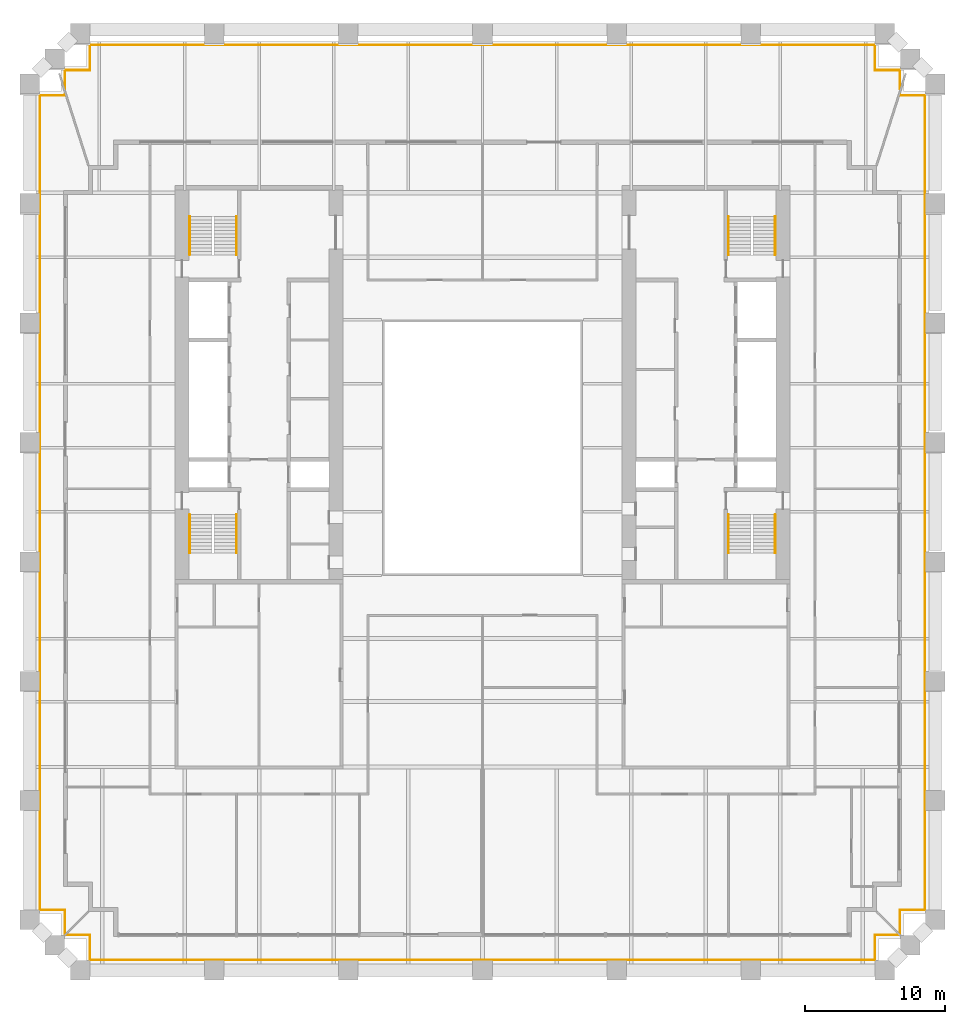
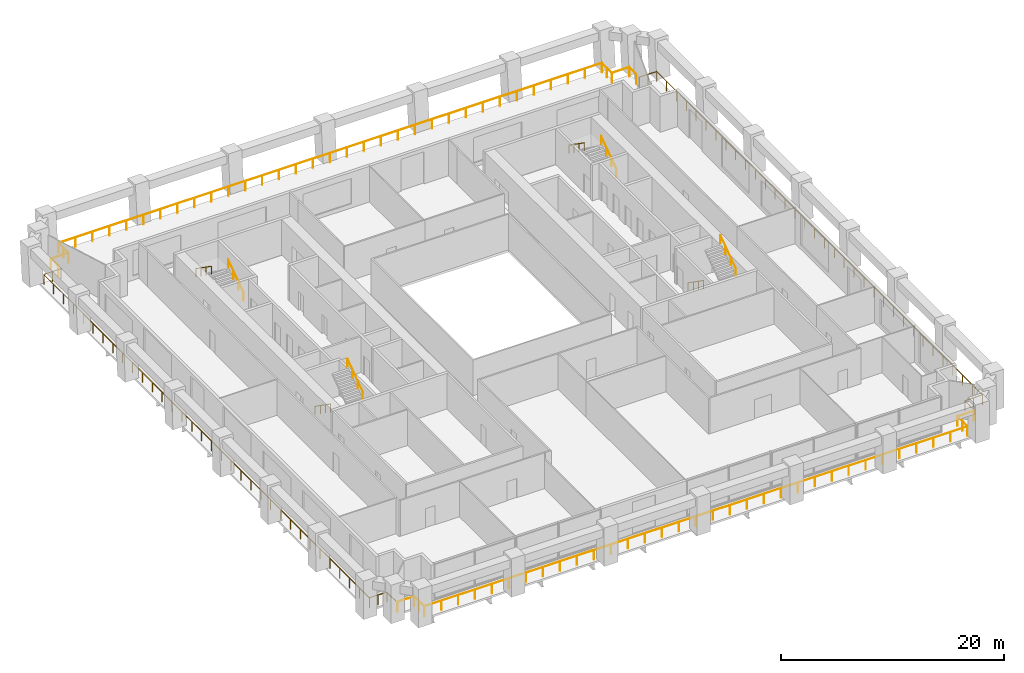
# One storey, part 11 of 11: 12 railings.
"""IFC4 building model written with IfcOpenShell, lengths in metres."""

import ifcopenshell
import ifcopenshell.guid

model = None  # the IFC model being written
_history = None  # IfcOwnerHistory: only IFC2X3 demands one
_inside = {}  # id of a spatial element -> (the spatial element, [elements in it])
_under = {}  # id of a project, library or spatial element -> (it, [spatial elements below it])
_declared = {}  # id of a project -> (the project, [libraries it declares])
_typed = {}  # id of a type object -> (the type object, [elements of that type])
_made_of = {}  # id of a material, layer set ... -> (it, [elements and type objects made of it])


def new_model(schema):
    """Start an empty IFC model of exactly this schema.

    Asked for "IFC4X3", IfcOpenShell would pick the latest addendum, in which some entities
    have other attributes; the version numbers below select the first issue.
    IFC2X3 requires an IfcOwnerHistory on every rooted entity: one is made here for all.
    """
    global model, _history
    if schema == "IFC4X3":
        model = ifcopenshell.file(schema_version=(4, 3, 0, 0))
    else:
        model = ifcopenshell.file(schema=schema)
    _inside.clear()
    _under.clear()
    _declared.clear()
    _typed.clear()
    _made_of.clear()
    _history = None
    if model.schema == "IFC2X3":
        org = make("IfcOrganization", Name="unknown")
        user = make(
            "IfcPersonAndOrganization",
            ThePerson=make("IfcPerson", FamilyName="unknown"),
            TheOrganization=org,
        )
        app = make(
            "IfcApplication",
            ApplicationDeveloper=org,
            Version="unknown",
            ApplicationFullName="unknown",
            ApplicationIdentifier="unknown",
        )
        _history = make(
            "IfcOwnerHistory",
            OwningUser=user,
            OwningApplication=app,
            ChangeAction="ADDED",
            CreationDate=0,
        )
    return model


def make(cls, **values):
    """One entity of the class cls with the attributes given. An attribute that is None is left unset."""
    return model.create_entity(
        cls, **{name: value for name, value in values.items() if value is not None}
    )


def rooted(cls, **values):
    """An entity with a GlobalId (a new one), such as an element, a storey or a relation."""
    return make(cls, GlobalId=ifcopenshell.guid.new(), OwnerHistory=_history, **values)


def si_unit(unit_type, name, prefix=None):
    """IfcSIUnit, for example si_unit("LENGTHUNIT", "METRE", prefix="MILLI")."""
    return make("IfcSIUnit", UnitType=unit_type, Prefix=prefix, Name=name)


def assignment(units):
    """IfcUnitAssignment: the units of a project."""
    return None if units is None else make("IfcUnitAssignment", Units=units)


def point(xyz):
    """IfcCartesianPoint."""
    return None if xyz is None else make("IfcCartesianPoint", Coordinates=xyz)


def direction(xyz):
    """IfcDirection."""
    return None if xyz is None else make("IfcDirection", DirectionRatios=xyz)


def frame(location, z_axis=None, x_axis=None):
    """IfcAxis2Placement3D, a coordinate frame: its origin and axes. An axis left out is left unset."""
    return make(
        "IfcAxis2Placement3D",
        Location=point(location),
        Axis=direction(z_axis),
        RefDirection=direction(x_axis),
    )


def frame_2d(location, x_axis=None):
    """IfcAxis2Placement2D, a coordinate frame in the plane: its origin and x axis."""
    return make(
        "IfcAxis2Placement2D", Location=point(location), RefDirection=direction(x_axis)
    )


def origin():
    """The frame at (0, 0, 0) with its axes left unset."""
    return frame((0.0, 0.0, 0.0))


def origin_2d():
    """The frame at (0, 0) in the plane with its x axis left unset."""
    return frame_2d((0.0, 0.0))


def place(relative_to, where):
    """IfcLocalPlacement: puts the frame where relative to a parent placement (None: the world)."""
    return make(
        "IfcLocalPlacement", PlacementRelTo=relative_to, RelativePlacement=where
    )


def context(
    kind, dimensions, precision=None, world=None, true_north=None, identifier=None
):
    """IfcGeometricRepresentationContext, for example the 3D "Model" context."""
    return make(
        "IfcGeometricRepresentationContext",
        ContextIdentifier=identifier,
        ContextType=kind,
        CoordinateSpaceDimension=dimensions,
        Precision=precision,
        WorldCoordinateSystem=world,
        TrueNorth=true_north,
    )


def subcontext(parent, identifier, kind, view, scale=None):
    """IfcGeometricRepresentationSubContext, for example "Body" below "Model"."""
    return make(
        "IfcGeometricRepresentationSubContext",
        ContextIdentifier=identifier,
        ContextType=kind,
        ParentContext=parent,
        TargetScale=scale,
        TargetView=view,
    )


def project(units=None, contexts=None):
    """IfcProject with its units and contexts."""
    return rooted(
        "IfcProject",
        Name="project",
        RepresentationContexts=contexts,
        UnitsInContext=assignment(units),
    )


def spatial(cls, under=None, at=None, **own):
    """A site, building, storey or space (cls), placed at a placement, below another one or the project."""
    s = rooted(cls, ObjectPlacement=at, **own)
    if under is not None:
        _under.setdefault(under.id(), (under, []))[1].append(s)
    return s


def profile(cls, at=None, kind="AREA", **sizes):
    """A parametric profile (cls). Its sizes go by their IFC names, for example OverallWidth=200.0."""
    return make(cls, ProfileType=kind, Position=at, **sizes)


def circle(**sizes):
    """IfcCircleProfileDef."""
    return profile("IfcCircleProfileDef", **sizes)


def extrude(swept, where, along, depth):
    """IfcExtrudedAreaSolid: the profile swept, set in the frame where, extruded along a direction by depth."""
    return make(
        "IfcExtrudedAreaSolid",
        SweptArea=swept,
        Position=where,
        ExtrudedDirection=direction(along),
        Depth=depth,
    )


def shape(context_of_items, identifier, shape_type, items):
    """IfcShapeRepresentation: the items that make up one representation, for example the "Body"."""
    return make(
        "IfcShapeRepresentation",
        ContextOfItems=context_of_items,
        RepresentationIdentifier=identifier,
        RepresentationType=shape_type,
        Items=items,
    )


def material(Name=None, Category=None):
    """IfcMaterial."""
    return make("IfcMaterial", Name=Name, Category=Category)


def made_of(thing, what):
    """Note that an element or type object is made of a material, layer set ...; save() writes the relation."""
    if what is not None:
        _made_of.setdefault(what.id(), (what, []))[1].append(thing)
    return thing


def type_object(cls, material=None, **own):
    """A type object (cls), such as IfcWallType, which elements share."""
    return made_of(rooted(cls, **own), material)


def element(
    cls,
    number,
    at=None,
    inside=None,
    cuts=None,
    type_object=None,
    material=None,
    context=None,
    identifier="Body",
    shape_type=None,
    held_by="IfcProductDefinitionShape",
    body=None,
    shapes=None,
    **own,
):
    """One element of the class cls, such as IfcWall. Its Tag is "e" and its number.

    at: its placement. inside: the storey or other place that contains it. cuts: it is an
    opening in that element (IfcRelVoidsElement). A single representation is given by context,
    identifier, shape_type and body (its items); several are given by shapes. held_by: the class
    of the entity that holds the representations. save() writes the other relations.
    """
    e = rooted(cls, Tag="e%d" % number, ObjectPlacement=at, **own)
    if body is not None:
        shapes = [shape(context, identifier, shape_type, body)]
    if shapes is not None:
        e.Representation = make(held_by, Representations=shapes)
    if inside is not None:
        _inside.setdefault(inside.id(), (inside, []))[1].append(e)
    if cuts is not None:
        rooted(
            "IfcRelVoidsElement", RelatingBuildingElement=cuts, RelatedOpeningElement=e
        )
    if type_object is not None:
        _typed.setdefault(type_object.id(), (type_object, []))[1].append(e)
    return made_of(e, material)


def aggregate(whole, parts):
    """IfcRelAggregates: a whole, such as a stair, and the parts it consists of."""
    return rooted("IfcRelAggregates", RelatingObject=whole, RelatedObjects=parts)


def save(model, path):
    """Write the relations noted so far, then the file.

    IfcRelAggregates (storeys below a building ...), IfcRelContainedInSpatialStructure (elements
    in a storey), IfcRelDefinesByType, IfcRelAssociatesMaterial and IfcRelDeclares: one each for
    every whole, place, type object, material and project.
    """
    for whole, parts in _under.values():
        aggregate(whole, parts)
    for where, things in _inside.values():
        rooted(
            "IfcRelContainedInSpatialStructure",
            RelatedElements=things,
            RelatingStructure=where,
        )
    for kind, things in _typed.values():
        rooted("IfcRelDefinesByType", RelatedObjects=things, RelatingType=kind)
    for what, things in _made_of.values():
        rooted("IfcRelAssociatesMaterial", RelatedObjects=things, RelatingMaterial=what)
    for by, libraries in _declared.values():
        rooted("IfcRelDeclares", RelatingContext=by, RelatedDefinitions=libraries)
    model.write(path)


model = new_model("IFC4")

# Units and contexts
model_context = context("Model", 3, precision=1e-05, world=origin(), true_north=direction((0.0, 1.0)))
body_context = subcontext(model_context, "Body", "Model", "MODEL_VIEW")
ifc_project = project(units=[si_unit("LENGTHUNIT", "METRE"), si_unit("AREAUNIT", "SQUARE_METRE"), si_unit("VOLUMEUNIT", "CUBIC_METRE"), si_unit("PLANEANGLEUNIT", "RADIAN"), si_unit("MASSUNIT", "GRAM", prefix="KILO")], contexts=[model_context])

# Site, building, storey
site_placement = place(None, origin())
site = spatial("IfcSite", under=ifc_project, at=site_placement, CompositionType="ELEMENT")
building_placement = place(site_placement, origin())
building = spatial("IfcBuilding", under=site, at=building_placement, Name="Ogive Exchange Tower", CompositionType="ELEMENT")
storey_placement = place(building_placement, frame((0.0, 0.0, 90.0)))
storey = spatial("IfcBuildingStorey", under=building, at=storey_placement, Name="L19", CompositionType="ELEMENT", Elevation=90.0)

# Railings
ifc_material_1 = material(Name="Stainless steel 316", Category="steel")
railing_type_1 = type_object("IfcRailingType", Name="Guard 1100 stainless steel and glass", PredefinedType="GUARDRAIL", material=ifc_material_1)
railing_1_placement = place(storey_placement, frame((29.7880859375, -27.8798828125, -0.050048828125)))
element("IfcRailing", 1, at=railing_1_placement, inside=storey, type_object=railing_type_1, Name="Loggia guard 1", PredefinedType="GUARDRAIL", context=body_context, shape_type="SweptSolid", body=[
    extrude(circle(Radius=0.02392578125, at=origin_2d()), frame((0.0, 0.0, 1.076171875), z_axis=(-1.0, 0.0, 0.0), x_axis=(0.0, -1.0, 0.0)), (0.0, 0.0, 1.0), 1.7080078125),
    extrude(circle(Radius=0.02392578125, at=origin_2d()), frame((-1.7080078125, 0.0, 1.076171875), z_axis=(0.0, -1.0, 0.0), x_axis=(1.0, 0.0, 0.0)), (0.0, 0.0, 1.0), 1.800048828125),
    extrude(circle(Radius=0.02392578125, at=origin_2d()), frame((-1.7080078125, -1.800048828125, 1.076171875), z_axis=(-1.0, 0.0, 0.0), x_axis=(0.0, -1.0, 0.0)), (0.0, 0.0, 1.0), 56.16015625),
    extrude(circle(Radius=0.02392578125, at=origin_2d()), frame((-57.8681640625, -1.800048828125, 1.076171875), z_axis=(0.0, 1.0, 0.0), x_axis=(-1.0, 0.0, 0.0)), (0.0, 0.0, 1.0), 1.800048828125),
    extrude(circle(Radius=0.02392578125, at=origin_2d()), frame((-57.8681640625, 0.0, 1.076171875), z_axis=(-1.0, 0.0, 0.0), x_axis=(0.0, -1.0, 0.0)), (0.0, 0.0, 1.0), 1.7080078125),
    extrude(circle(Radius=0.02099609375, at=origin_2d()), origin(), (0.0, 0.0, 1.0), 1.052001953125),
    extrude(circle(Radius=0.02099609375, at=origin_2d()), frame((-1.7080078125, 0.0, 0.0)), (0.0, 0.0, 1.0), 1.052001953125),
    extrude(circle(Radius=0.02099609375, at=origin_2d()), frame((-1.7080078125, -0.89990234375, 0.0)), (0.0, 0.0, 1.0), 1.052001953125),
    extrude(circle(Radius=0.02099609375, at=origin_2d()), frame((-1.7080078125, -1.800048828125, 0.0)), (0.0, 0.0, 1.0), 1.052001953125),
    extrude(circle(Radius=0.02099609375, at=origin_2d()), frame((-3.462890625, -1.800048828125, 0.0)), (0.0, 0.0, 1.0), 1.052001953125),
    extrude(circle(Radius=0.02099609375, at=origin_2d()), frame((-5.218017578125, -1.800048828125, 0.0)), (0.0, 0.0, 1.0), 1.052001953125),
    extrude(circle(Radius=0.02099609375, at=origin_2d()), frame((-6.97314453125, -1.800048828125, 0.0)), (0.0, 0.0, 1.0), 1.052001953125),
    extrude(circle(Radius=0.02099609375, at=origin_2d()), frame((-8.72802734375, -1.800048828125, 0.0)), (0.0, 0.0, 1.0), 1.052001953125),
    extrude(circle(Radius=0.02099609375, at=origin_2d()), frame((-10.48291015625, -1.800048828125, 0.0)), (0.0, 0.0, 1.0), 1.052001953125),
    extrude(circle(Radius=0.02099609375, at=origin_2d()), frame((-12.238037109375, -1.800048828125, 0.0)), (0.0, 0.0, 1.0), 1.052001953125),
    extrude(circle(Radius=0.02099609375, at=origin_2d()), frame((-13.9931640625, -1.800048828125, 0.0)), (0.0, 0.0, 1.0), 1.052001953125),
    extrude(circle(Radius=0.02099609375, at=origin_2d()), frame((-15.748046875, -1.800048828125, 0.0)), (0.0, 0.0, 1.0), 1.052001953125),
    extrude(circle(Radius=0.02099609375, at=origin_2d()), frame((-17.5029296875, -1.800048828125, 0.0)), (0.0, 0.0, 1.0), 1.052001953125),
    extrude(circle(Radius=0.02099609375, at=origin_2d()), frame((-19.258056640625, -1.800048828125, 0.0)), (0.0, 0.0, 1.0), 1.052001953125),
    extrude(circle(Radius=0.02099609375, at=origin_2d()), frame((-21.01318359375, -1.800048828125, 0.0)), (0.0, 0.0, 1.0), 1.052001953125),
    extrude(circle(Radius=0.02099609375, at=origin_2d()), frame((-22.76806640625, -1.800048828125, 0.0)), (0.0, 0.0, 1.0), 1.052001953125),
    extrude(circle(Radius=0.02099609375, at=origin_2d()), frame((-24.52294921875, -1.800048828125, 0.0)), (0.0, 0.0, 1.0), 1.052001953125),
    extrude(circle(Radius=0.02099609375, at=origin_2d()), frame((-26.278076171875, -1.800048828125, 0.0)), (0.0, 0.0, 1.0), 1.052001953125),
    extrude(circle(Radius=0.02099609375, at=origin_2d()), frame((-28.033203125, -1.800048828125, 0.0)), (0.0, 0.0, 1.0), 1.052001953125),
    extrude(circle(Radius=0.02099609375, at=origin_2d()), frame((-29.7880859375, -1.800048828125, 0.0)), (0.0, 0.0, 1.0), 1.052001953125),
    extrude(circle(Radius=0.02099609375, at=origin_2d()), frame((-31.54296875, -1.800048828125, 0.0)), (0.0, 0.0, 1.0), 1.052001953125),
    extrude(circle(Radius=0.02099609375, at=origin_2d()), frame((-33.298095703125, -1.800048828125, 0.0)), (0.0, 0.0, 1.0), 1.052001953125),
    extrude(circle(Radius=0.02099609375, at=origin_2d()), frame((-35.05322265625, -1.800048828125, 0.0)), (0.0, 0.0, 1.0), 1.052001953125),
    extrude(circle(Radius=0.02099609375, at=origin_2d()), frame((-36.80810546875, -1.800048828125, 0.0)), (0.0, 0.0, 1.0), 1.052001953125),
    extrude(circle(Radius=0.02099609375, at=origin_2d()), frame((-38.56298828125, -1.800048828125, 0.0)), (0.0, 0.0, 1.0), 1.052001953125),
    extrude(circle(Radius=0.02099609375, at=origin_2d()), frame((-40.318115234375, -1.800048828125, 0.0)), (0.0, 0.0, 1.0), 1.052001953125),
    extrude(circle(Radius=0.02099609375, at=origin_2d()), frame((-42.0732421875, -1.800048828125, 0.0)), (0.0, 0.0, 1.0), 1.052001953125),
    extrude(circle(Radius=0.02099609375, at=origin_2d()), frame((-43.828125, -1.800048828125, 0.0)), (0.0, 0.0, 1.0), 1.052001953125),
    extrude(circle(Radius=0.02099609375, at=origin_2d()), frame((-45.5830078125, -1.800048828125, 0.0)), (0.0, 0.0, 1.0), 1.052001953125),
    extrude(circle(Radius=0.02099609375, at=origin_2d()), frame((-47.338134765625, -1.800048828125, 0.0)), (0.0, 0.0, 1.0), 1.052001953125),
    extrude(circle(Radius=0.02099609375, at=origin_2d()), frame((-49.09326171875, -1.800048828125, 0.0)), (0.0, 0.0, 1.0), 1.052001953125),
    extrude(circle(Radius=0.02099609375, at=origin_2d()), frame((-50.84814453125, -1.800048828125, 0.0)), (0.0, 0.0, 1.0), 1.052001953125),
    extrude(circle(Radius=0.02099609375, at=origin_2d()), frame((-52.60302734375, -1.800048828125, 0.0)), (0.0, 0.0, 1.0), 1.052001953125),
    extrude(circle(Radius=0.02099609375, at=origin_2d()), frame((-54.358154296875, -1.800048828125, 0.0)), (0.0, 0.0, 1.0), 1.052001953125),
    extrude(circle(Radius=0.02099609375, at=origin_2d()), frame((-56.11328125, -1.800048828125, 0.0)), (0.0, 0.0, 1.0), 1.052001953125),
    extrude(circle(Radius=0.02099609375, at=origin_2d()), frame((-57.8681640625, -1.800048828125, 0.0)), (0.0, 0.0, 1.0), 1.052001953125),
    extrude(circle(Radius=0.02099609375, at=origin_2d()), frame((-57.8681640625, -0.89990234375, 0.0)), (0.0, 0.0, 1.0), 1.052001953125),
    extrude(circle(Radius=0.02099609375, at=origin_2d()), frame((-57.8681640625, 0.0, 0.0)), (0.0, 0.0, 1.0), 1.052001953125),
    extrude(circle(Radius=0.02099609375, at=origin_2d()), frame((-59.576171875, 0.0, 0.0)), (0.0, 0.0, 1.0), 1.052001953125),
])
railing_2_placement = place(storey_placement, frame((-29.8798828125, -27.7880859375, -0.050048828125)))
element("IfcRailing", 2, at=railing_2_placement, inside=storey, type_object=railing_type_1, Name="Loggia guard 2", PredefinedType="GUARDRAIL", context=body_context, shape_type="SweptSolid", body=[
    extrude(circle(Radius=0.02392578125, at=origin_2d()), frame((0.0, 0.0, 1.076171875), z_axis=(0.0, 1.0, 0.0), x_axis=(-1.0, 0.0, 0.0)), (0.0, 0.0, 1.0), 1.7080078125),
    extrude(circle(Radius=0.02392578125, at=origin_2d()), frame((0.0, 1.7080078125, 1.076171875), z_axis=(-1.0, 0.0, 0.0), x_axis=(0.0, -1.0, 0.0)), (0.0, 0.0, 1.0), 1.800048828125),
    extrude(circle(Radius=0.02392578125, at=origin_2d()), frame((-1.800048828125, 1.7080078125, 1.076171875), z_axis=(0.0, 1.0, 0.0), x_axis=(-1.0, 0.0, 0.0)), (0.0, 0.0, 1.0), 58.287353515625),
    extrude(circle(Radius=0.02392578125, at=origin_2d()), frame((-1.800048828125, 59.995361328125, 1.076171875), z_axis=(1.0, 0.0, 0.0), x_axis=(0.0, 1.0, 0.0)), (0.0, 0.0, 1.0), 1.800048828125),
    extrude(circle(Radius=0.02392578125, at=origin_2d()), frame((0.0, 59.995361328125, 1.076171875), z_axis=(0.0, 1.0, 0.0), x_axis=(-1.0, 0.0, 0.0)), (0.0, 0.0, 1.0), 0.0478515625),
    extrude(circle(Radius=0.02099609375, at=origin_2d()), origin(), (0.0, 0.0, 1.0), 1.052001953125),
    extrude(circle(Radius=0.02099609375, at=origin_2d()), frame((0.0, 1.7080078125, 0.0)), (0.0, 0.0, 1.0), 1.052001953125),
    extrude(circle(Radius=0.02099609375, at=origin_2d()), frame((-0.89990234375, 1.7080078125, 0.0)), (0.0, 0.0, 1.0), 1.052001953125),
    extrude(circle(Radius=0.02099609375, at=origin_2d()), frame((-1.800048828125, 1.7080078125, 0.0)), (0.0, 0.0, 1.0), 1.052001953125),
    extrude(circle(Radius=0.02099609375, at=origin_2d()), frame((-1.800048828125, 3.474365234375, 0.0)), (0.0, 0.0, 1.0), 1.052001953125),
    extrude(circle(Radius=0.02099609375, at=origin_2d()), frame((-1.800048828125, 5.240478515625, 0.0)), (0.0, 0.0, 1.0), 1.052001953125),
    extrude(circle(Radius=0.02099609375, at=origin_2d()), frame((-1.800048828125, 7.0068359375, 0.0)), (0.0, 0.0, 1.0), 1.052001953125),
    extrude(circle(Radius=0.02099609375, at=origin_2d()), frame((-1.800048828125, 8.773193359375, 0.0)), (0.0, 0.0, 1.0), 1.052001953125),
    extrude(circle(Radius=0.02099609375, at=origin_2d()), frame((-1.800048828125, 10.539306640625, 0.0)), (0.0, 0.0, 1.0), 1.052001953125),
    extrude(circle(Radius=0.02099609375, at=origin_2d()), frame((-1.800048828125, 12.3056640625, 0.0)), (0.0, 0.0, 1.0), 1.052001953125),
    extrude(circle(Radius=0.02099609375, at=origin_2d()), frame((-1.800048828125, 14.072021484375, 0.0)), (0.0, 0.0, 1.0), 1.052001953125),
    extrude(circle(Radius=0.02099609375, at=origin_2d()), frame((-1.800048828125, 15.83837890625, 0.0)), (0.0, 0.0, 1.0), 1.052001953125),
    extrude(circle(Radius=0.02099609375, at=origin_2d()), frame((-1.800048828125, 17.6044921875, 0.0)), (0.0, 0.0, 1.0), 1.052001953125),
    extrude(circle(Radius=0.02099609375, at=origin_2d()), frame((-1.800048828125, 19.370849609375, 0.0)), (0.0, 0.0, 1.0), 1.052001953125),
    extrude(circle(Radius=0.02099609375, at=origin_2d()), frame((-1.800048828125, 21.13720703125, 0.0)), (0.0, 0.0, 1.0), 1.052001953125),
    extrude(circle(Radius=0.02099609375, at=origin_2d()), frame((-1.800048828125, 22.9033203125, 0.0)), (0.0, 0.0, 1.0), 1.052001953125),
    extrude(circle(Radius=0.02099609375, at=origin_2d()), frame((-1.800048828125, 24.669677734375, 0.0)), (0.0, 0.0, 1.0), 1.052001953125),
    extrude(circle(Radius=0.02099609375, at=origin_2d()), frame((-1.800048828125, 26.43603515625, 0.0)), (0.0, 0.0, 1.0), 1.052001953125),
    extrude(circle(Radius=0.02099609375, at=origin_2d()), frame((-1.800048828125, 28.2021484375, 0.0)), (0.0, 0.0, 1.0), 1.052001953125),
    extrude(circle(Radius=0.02099609375, at=origin_2d()), frame((-1.800048828125, 29.968505859375, 0.0)), (0.0, 0.0, 1.0), 1.052001953125),
    extrude(circle(Radius=0.02099609375, at=origin_2d()), frame((-1.800048828125, 31.73486328125, 0.0)), (0.0, 0.0, 1.0), 1.052001953125),
    extrude(circle(Radius=0.02099609375, at=origin_2d()), frame((-1.800048828125, 33.501220703125, 0.0)), (0.0, 0.0, 1.0), 1.052001953125),
    extrude(circle(Radius=0.02099609375, at=origin_2d()), frame((-1.800048828125, 35.267333984375, 0.0)), (0.0, 0.0, 1.0), 1.052001953125),
    extrude(circle(Radius=0.02099609375, at=origin_2d()), frame((-1.800048828125, 37.03369140625, 0.0)), (0.0, 0.0, 1.0), 1.052001953125),
    extrude(circle(Radius=0.02099609375, at=origin_2d()), frame((-1.800048828125, 38.800048828125, 0.0)), (0.0, 0.0, 1.0), 1.052001953125),
    extrude(circle(Radius=0.02099609375, at=origin_2d()), frame((-1.800048828125, 40.566162109375, 0.0)), (0.0, 0.0, 1.0), 1.052001953125),
    extrude(circle(Radius=0.02099609375, at=origin_2d()), frame((-1.800048828125, 42.33251953125, 0.0)), (0.0, 0.0, 1.0), 1.052001953125),
    extrude(circle(Radius=0.02099609375, at=origin_2d()), frame((-1.800048828125, 44.098876953125, 0.0)), (0.0, 0.0, 1.0), 1.052001953125),
    extrude(circle(Radius=0.02099609375, at=origin_2d()), frame((-1.800048828125, 45.864990234375, 0.0)), (0.0, 0.0, 1.0), 1.052001953125),
    extrude(circle(Radius=0.02099609375, at=origin_2d()), frame((-1.800048828125, 47.63134765625, 0.0)), (0.0, 0.0, 1.0), 1.052001953125),
    extrude(circle(Radius=0.02099609375, at=origin_2d()), frame((-1.800048828125, 49.397705078125, 0.0)), (0.0, 0.0, 1.0), 1.052001953125),
    extrude(circle(Radius=0.02099609375, at=origin_2d()), frame((-1.800048828125, 51.1640625, 0.0)), (0.0, 0.0, 1.0), 1.052001953125),
    extrude(circle(Radius=0.02099609375, at=origin_2d()), frame((-1.800048828125, 52.93017578125, 0.0)), (0.0, 0.0, 1.0), 1.052001953125),
    extrude(circle(Radius=0.02099609375, at=origin_2d()), frame((-1.800048828125, 54.696533203125, 0.0)), (0.0, 0.0, 1.0), 1.052001953125),
    extrude(circle(Radius=0.02099609375, at=origin_2d()), frame((-1.800048828125, 56.462890625, 0.0)), (0.0, 0.0, 1.0), 1.052001953125),
    extrude(circle(Radius=0.02099609375, at=origin_2d()), frame((-1.800048828125, 58.22900390625, 0.0)), (0.0, 0.0, 1.0), 1.052001953125),
    extrude(circle(Radius=0.02099609375, at=origin_2d()), frame((-1.800048828125, 59.995361328125, 0.0)), (0.0, 0.0, 1.0), 1.052001953125),
    extrude(circle(Radius=0.02099609375, at=origin_2d()), frame((-0.89990234375, 59.995361328125, 0.0)), (0.0, 0.0, 1.0), 1.052001953125),
    extrude(circle(Radius=0.02099609375, at=origin_2d()), frame((0.0, 59.995361328125, 0.0)), (0.0, 0.0, 1.0), 1.052001953125),
    extrude(circle(Radius=0.02099609375, at=origin_2d()), frame((0.0, 60.043212890625, 0.0)), (0.0, 0.0, 1.0), 1.052001953125),
])
railing_3_placement = place(storey_placement, frame((-29.8798828125, 32.68310546875, -0.050048828125)))
element("IfcRailing", 3, at=railing_3_placement, inside=storey, type_object=railing_type_1, Name="Loggia guard 3", PredefinedType="GUARDRAIL", context=body_context, shape_type="SweptSolid", body=[
    extrude(circle(Radius=0.02392578125, at=origin_2d()), frame((0.0, 0.0, 1.076171875), z_axis=(0.0, 1.0, 0.0), x_axis=(-1.0, 0.0, 0.0)), (0.0, 0.0, 1.0), 1.32421875),
    extrude(circle(Radius=0.02392578125, at=origin_2d()), frame((0.0, 1.32421875, 1.076171875), z_axis=(1.0, 0.0, 0.0), x_axis=(0.0, 1.0, 0.0)), (0.0, 0.0, 1.0), 1.7998046875),
    extrude(circle(Radius=0.02392578125, at=origin_2d()), frame((1.7998046875, 1.32421875, 1.076171875), z_axis=(0.0, 1.0, 0.0), x_axis=(-1.0, 0.0, 0.0)), (0.0, 0.0, 1.0), 1.800048828125),
    extrude(circle(Radius=0.02392578125, at=origin_2d()), frame((1.7998046875, 3.124267578125, 1.076171875), z_axis=(1.0, 0.0, 0.0), x_axis=(0.0, 1.0, 0.0)), (0.0, 0.0, 1.0), 56.16015625),
    extrude(circle(Radius=0.02392578125, at=origin_2d()), frame((57.9599609375, 3.124267578125, 1.076171875), z_axis=(0.0, -1.0, 0.0), x_axis=(1.0, 0.0, 0.0)), (0.0, 0.0, 1.0), 1.800048828125),
    extrude(circle(Radius=0.02392578125, at=origin_2d()), frame((57.9599609375, 1.32421875, 1.076171875), z_axis=(1.0, 0.0, 0.0), x_axis=(0.0, 1.0, 0.0)), (0.0, 0.0, 1.0), 1.7998046875),
    extrude(circle(Radius=0.02392578125, at=origin_2d()), frame((59.759765625, 1.32421875, 1.076171875), z_axis=(0.0, -1.0, 0.0), x_axis=(1.0, 0.0, 0.0)), (0.0, 0.0, 1.0), 1.32421875),
    extrude(circle(Radius=0.02099609375, at=origin_2d()), origin(), (0.0, 0.0, 1.0), 1.052001953125),
    extrude(circle(Radius=0.02099609375, at=origin_2d()), frame((0.0, 1.32421875, 0.0)), (0.0, 0.0, 1.0), 1.052001953125),
    extrude(circle(Radius=0.02099609375, at=origin_2d()), frame((1.7998046875, 1.32421875, 0.0)), (0.0, 0.0, 1.0), 1.052001953125),
    extrude(circle(Radius=0.02099609375, at=origin_2d()), frame((1.7998046875, 2.22412109375, 0.0)), (0.0, 0.0, 1.0), 1.052001953125),
    extrude(circle(Radius=0.02099609375, at=origin_2d()), frame((1.7998046875, 3.124267578125, 0.0)), (0.0, 0.0, 1.0), 1.052001953125),
    extrude(circle(Radius=0.02099609375, at=origin_2d()), frame((3.5546875, 3.124267578125, 0.0)), (0.0, 0.0, 1.0), 1.052001953125),
    extrude(circle(Radius=0.02099609375, at=origin_2d()), frame((5.309814453125, 3.124267578125, 0.0)), (0.0, 0.0, 1.0), 1.052001953125),
    extrude(circle(Radius=0.02099609375, at=origin_2d()), frame((7.06494140625, 3.124267578125, 0.0)), (0.0, 0.0, 1.0), 1.052001953125),
    extrude(circle(Radius=0.02099609375, at=origin_2d()), frame((8.81982421875, 3.124267578125, 0.0)), (0.0, 0.0, 1.0), 1.052001953125),
    extrude(circle(Radius=0.02099609375, at=origin_2d()), frame((10.57470703125, 3.124267578125, 0.0)), (0.0, 0.0, 1.0), 1.052001953125),
    extrude(circle(Radius=0.02099609375, at=origin_2d()), frame((12.329833984375, 3.124267578125, 0.0)), (0.0, 0.0, 1.0), 1.052001953125),
    extrude(circle(Radius=0.02099609375, at=origin_2d()), frame((14.0849609375, 3.124267578125, 0.0)), (0.0, 0.0, 1.0), 1.052001953125),
    extrude(circle(Radius=0.02099609375, at=origin_2d()), frame((15.83984375, 3.124267578125, 0.0)), (0.0, 0.0, 1.0), 1.052001953125),
    extrude(circle(Radius=0.02099609375, at=origin_2d()), frame((17.5947265625, 3.124267578125, 0.0)), (0.0, 0.0, 1.0), 1.052001953125),
    extrude(circle(Radius=0.02099609375, at=origin_2d()), frame((19.349853515625, 3.124267578125, 0.0)), (0.0, 0.0, 1.0), 1.052001953125),
    extrude(circle(Radius=0.02099609375, at=origin_2d()), frame((21.10498046875, 3.124267578125, 0.0)), (0.0, 0.0, 1.0), 1.052001953125),
    extrude(circle(Radius=0.02099609375, at=origin_2d()), frame((22.85986328125, 3.124267578125, 0.0)), (0.0, 0.0, 1.0), 1.052001953125),
    extrude(circle(Radius=0.02099609375, at=origin_2d()), frame((24.61474609375, 3.124267578125, 0.0)), (0.0, 0.0, 1.0), 1.052001953125),
    extrude(circle(Radius=0.02099609375, at=origin_2d()), frame((26.369873046875, 3.124267578125, 0.0)), (0.0, 0.0, 1.0), 1.052001953125),
    extrude(circle(Radius=0.02099609375, at=origin_2d()), frame((28.125, 3.124267578125, 0.0)), (0.0, 0.0, 1.0), 1.052001953125),
    extrude(circle(Radius=0.02099609375, at=origin_2d()), frame((29.8798828125, 3.124267578125, 0.0)), (0.0, 0.0, 1.0), 1.052001953125),
    extrude(circle(Radius=0.02099609375, at=origin_2d()), frame((31.634765625, 3.124267578125, 0.0)), (0.0, 0.0, 1.0), 1.052001953125),
    extrude(circle(Radius=0.02099609375, at=origin_2d()), frame((33.389892578125, 3.124267578125, 0.0)), (0.0, 0.0, 1.0), 1.052001953125),
    extrude(circle(Radius=0.02099609375, at=origin_2d()), frame((35.14501953125, 3.124267578125, 0.0)), (0.0, 0.0, 1.0), 1.052001953125),
    extrude(circle(Radius=0.02099609375, at=origin_2d()), frame((36.89990234375, 3.124267578125, 0.0)), (0.0, 0.0, 1.0), 1.052001953125),
    extrude(circle(Radius=0.02099609375, at=origin_2d()), frame((38.65478515625, 3.124267578125, 0.0)), (0.0, 0.0, 1.0), 1.052001953125),
    extrude(circle(Radius=0.02099609375, at=origin_2d()), frame((40.409912109375, 3.124267578125, 0.0)), (0.0, 0.0, 1.0), 1.052001953125),
    extrude(circle(Radius=0.02099609375, at=origin_2d()), frame((42.1650390625, 3.124267578125, 0.0)), (0.0, 0.0, 1.0), 1.052001953125),
    extrude(circle(Radius=0.02099609375, at=origin_2d()), frame((43.919921875, 3.124267578125, 0.0)), (0.0, 0.0, 1.0), 1.052001953125),
    extrude(circle(Radius=0.02099609375, at=origin_2d()), frame((45.6748046875, 3.124267578125, 0.0)), (0.0, 0.0, 1.0), 1.052001953125),
    extrude(circle(Radius=0.02099609375, at=origin_2d()), frame((47.429931640625, 3.124267578125, 0.0)), (0.0, 0.0, 1.0), 1.052001953125),
    extrude(circle(Radius=0.02099609375, at=origin_2d()), frame((49.18505859375, 3.124267578125, 0.0)), (0.0, 0.0, 1.0), 1.052001953125),
    extrude(circle(Radius=0.02099609375, at=origin_2d()), frame((50.93994140625, 3.124267578125, 0.0)), (0.0, 0.0, 1.0), 1.052001953125),
    extrude(circle(Radius=0.02099609375, at=origin_2d()), frame((52.69482421875, 3.124267578125, 0.0)), (0.0, 0.0, 1.0), 1.052001953125),
    extrude(circle(Radius=0.02099609375, at=origin_2d()), frame((54.449951171875, 3.124267578125, 0.0)), (0.0, 0.0, 1.0), 1.052001953125),
    extrude(circle(Radius=0.02099609375, at=origin_2d()), frame((56.205078125, 3.124267578125, 0.0)), (0.0, 0.0, 1.0), 1.052001953125),
    extrude(circle(Radius=0.02099609375, at=origin_2d()), frame((57.9599609375, 3.124267578125, 0.0)), (0.0, 0.0, 1.0), 1.052001953125),
    extrude(circle(Radius=0.02099609375, at=origin_2d()), frame((57.9599609375, 2.22412109375, 0.0)), (0.0, 0.0, 1.0), 1.052001953125),
    extrude(circle(Radius=0.02099609375, at=origin_2d()), frame((57.9599609375, 1.32421875, 0.0)), (0.0, 0.0, 1.0), 1.052001953125),
    extrude(circle(Radius=0.02099609375, at=origin_2d()), frame((59.759765625, 1.32421875, 0.0)), (0.0, 0.0, 1.0), 1.052001953125),
    extrude(circle(Radius=0.02099609375, at=origin_2d()), frame((59.759765625, 0.0, 0.0)), (0.0, 0.0, 1.0), 1.052001953125),
])
railing_4_placement = place(storey_placement, frame((29.8798828125, 32.255126953125, -0.050048828125)))
element("IfcRailing", 4, at=railing_4_placement, inside=storey, type_object=railing_type_1, Name="Loggia guard 4", PredefinedType="GUARDRAIL", context=body_context, shape_type="SweptSolid", body=[
    extrude(circle(Radius=0.02392578125, at=origin_2d()), frame((0.0, 0.0, 1.076171875), z_axis=(0.0, -1.0, 0.0), x_axis=(1.0, 0.0, 0.0)), (0.0, 0.0, 1.0), 0.0478515625),
    extrude(circle(Radius=0.02392578125, at=origin_2d()), frame((0.0, -0.0478515625, 1.076171875), z_axis=(1.0, 0.0, 0.0), x_axis=(0.0, 1.0, 0.0)), (0.0, 0.0, 1.0), 1.800048828125),
    extrude(circle(Radius=0.02392578125, at=origin_2d()), frame((1.800048828125, -0.0478515625, 1.076171875), z_axis=(0.0, -1.0, 0.0), x_axis=(1.0, 0.0, 0.0)), (0.0, 0.0, 1.0), 58.287353515625),
    extrude(circle(Radius=0.02392578125, at=origin_2d()), frame((1.800048828125, -58.335205078125, 1.076171875), z_axis=(-1.0, 0.0, 0.0), x_axis=(0.0, -1.0, 0.0)), (0.0, 0.0, 1.0), 1.800048828125),
    extrude(circle(Radius=0.02392578125, at=origin_2d()), frame((0.0, -58.335205078125, 1.076171875), z_axis=(0.0, -1.0, 0.0), x_axis=(1.0, 0.0, 0.0)), (0.0, 0.0, 1.0), 1.7080078125),
    extrude(circle(Radius=0.02099609375, at=origin_2d()), origin(), (0.0, 0.0, 1.0), 1.052001953125),
    extrude(circle(Radius=0.02099609375, at=origin_2d()), frame((0.0, -0.0478515625, 0.0)), (0.0, 0.0, 1.0), 1.052001953125),
    extrude(circle(Radius=0.02099609375, at=origin_2d()), frame((0.89990234375, -0.0478515625, 0.0)), (0.0, 0.0, 1.0), 1.052001953125),
    extrude(circle(Radius=0.02099609375, at=origin_2d()), frame((1.800048828125, -0.0478515625, 0.0)), (0.0, 0.0, 1.0), 1.052001953125),
    extrude(circle(Radius=0.02099609375, at=origin_2d()), frame((1.800048828125, -1.814208984375, 0.0)), (0.0, 0.0, 1.0), 1.052001953125),
    extrude(circle(Radius=0.02099609375, at=origin_2d()), frame((1.800048828125, -3.580322265625, 0.0)), (0.0, 0.0, 1.0), 1.052001953125),
    extrude(circle(Radius=0.02099609375, at=origin_2d()), frame((1.800048828125, -5.3466796875, 0.0)), (0.0, 0.0, 1.0), 1.052001953125),
    extrude(circle(Radius=0.02099609375, at=origin_2d()), frame((1.800048828125, -7.113037109375, 0.0)), (0.0, 0.0, 1.0), 1.052001953125),
    extrude(circle(Radius=0.02099609375, at=origin_2d()), frame((1.800048828125, -8.879150390625, 0.0)), (0.0, 0.0, 1.0), 1.052001953125),
    extrude(circle(Radius=0.02099609375, at=origin_2d()), frame((1.800048828125, -10.6455078125, 0.0)), (0.0, 0.0, 1.0), 1.052001953125),
    extrude(circle(Radius=0.02099609375, at=origin_2d()), frame((1.800048828125, -12.411865234375, 0.0)), (0.0, 0.0, 1.0), 1.052001953125),
    extrude(circle(Radius=0.02099609375, at=origin_2d()), frame((1.800048828125, -14.17822265625, 0.0)), (0.0, 0.0, 1.0), 1.052001953125),
    extrude(circle(Radius=0.02099609375, at=origin_2d()), frame((1.800048828125, -15.9443359375, 0.0)), (0.0, 0.0, 1.0), 1.052001953125),
    extrude(circle(Radius=0.02099609375, at=origin_2d()), frame((1.800048828125, -17.710693359375, 0.0)), (0.0, 0.0, 1.0), 1.052001953125),
    extrude(circle(Radius=0.02099609375, at=origin_2d()), frame((1.800048828125, -19.47705078125, 0.0)), (0.0, 0.0, 1.0), 1.052001953125),
    extrude(circle(Radius=0.02099609375, at=origin_2d()), frame((1.800048828125, -21.2431640625, 0.0)), (0.0, 0.0, 1.0), 1.052001953125),
    extrude(circle(Radius=0.02099609375, at=origin_2d()), frame((1.800048828125, -23.009521484375, 0.0)), (0.0, 0.0, 1.0), 1.052001953125),
    extrude(circle(Radius=0.02099609375, at=origin_2d()), frame((1.800048828125, -24.77587890625, 0.0)), (0.0, 0.0, 1.0), 1.052001953125),
    extrude(circle(Radius=0.02099609375, at=origin_2d()), frame((1.800048828125, -26.5419921875, 0.0)), (0.0, 0.0, 1.0), 1.052001953125),
    extrude(circle(Radius=0.02099609375, at=origin_2d()), frame((1.800048828125, -28.308349609375, 0.0)), (0.0, 0.0, 1.0), 1.052001953125),
    extrude(circle(Radius=0.02099609375, at=origin_2d()), frame((1.800048828125, -30.07470703125, 0.0)), (0.0, 0.0, 1.0), 1.052001953125),
    extrude(circle(Radius=0.02099609375, at=origin_2d()), frame((1.800048828125, -31.841064453125, 0.0)), (0.0, 0.0, 1.0), 1.052001953125),
    extrude(circle(Radius=0.02099609375, at=origin_2d()), frame((1.800048828125, -33.607177734375, 0.0)), (0.0, 0.0, 1.0), 1.052001953125),
    extrude(circle(Radius=0.02099609375, at=origin_2d()), frame((1.800048828125, -35.37353515625, 0.0)), (0.0, 0.0, 1.0), 1.052001953125),
    extrude(circle(Radius=0.02099609375, at=origin_2d()), frame((1.800048828125, -37.139892578125, 0.0)), (0.0, 0.0, 1.0), 1.052001953125),
    extrude(circle(Radius=0.02099609375, at=origin_2d()), frame((1.800048828125, -38.906005859375, 0.0)), (0.0, 0.0, 1.0), 1.052001953125),
    extrude(circle(Radius=0.02099609375, at=origin_2d()), frame((1.800048828125, -40.67236328125, 0.0)), (0.0, 0.0, 1.0), 1.052001953125),
    extrude(circle(Radius=0.02099609375, at=origin_2d()), frame((1.800048828125, -42.438720703125, 0.0)), (0.0, 0.0, 1.0), 1.052001953125),
    extrude(circle(Radius=0.02099609375, at=origin_2d()), frame((1.800048828125, -44.204833984375, 0.0)), (0.0, 0.0, 1.0), 1.052001953125),
    extrude(circle(Radius=0.02099609375, at=origin_2d()), frame((1.800048828125, -45.97119140625, 0.0)), (0.0, 0.0, 1.0), 1.052001953125),
    extrude(circle(Radius=0.02099609375, at=origin_2d()), frame((1.800048828125, -47.737548828125, 0.0)), (0.0, 0.0, 1.0), 1.052001953125),
    extrude(circle(Radius=0.02099609375, at=origin_2d()), frame((1.800048828125, -49.50390625, 0.0)), (0.0, 0.0, 1.0), 1.052001953125),
    extrude(circle(Radius=0.02099609375, at=origin_2d()), frame((1.800048828125, -51.27001953125, 0.0)), (0.0, 0.0, 1.0), 1.052001953125),
    extrude(circle(Radius=0.02099609375, at=origin_2d()), frame((1.800048828125, -53.036376953125, 0.0)), (0.0, 0.0, 1.0), 1.052001953125),
    extrude(circle(Radius=0.02099609375, at=origin_2d()), frame((1.800048828125, -54.802734375, 0.0)), (0.0, 0.0, 1.0), 1.052001953125),
    extrude(circle(Radius=0.02099609375, at=origin_2d()), frame((1.800048828125, -56.56884765625, 0.0)), (0.0, 0.0, 1.0), 1.052001953125),
    extrude(circle(Radius=0.02099609375, at=origin_2d()), frame((1.800048828125, -58.335205078125, 0.0)), (0.0, 0.0, 1.0), 1.052001953125),
    extrude(circle(Radius=0.02099609375, at=origin_2d()), frame((0.89990234375, -58.335205078125, 0.0)), (0.0, 0.0, 1.0), 1.052001953125),
    extrude(circle(Radius=0.02099609375, at=origin_2d()), frame((0.0, -58.335205078125, 0.0)), (0.0, 0.0, 1.0), 1.052001953125),
    extrude(circle(Radius=0.02099609375, at=origin_2d()), frame((0.0, -60.043212890625, 0.0)), (0.0, 0.0, 1.0), 1.052001953125),
])
ifc_material_2 = material(Name="Stainless steel", Category="steel")
railing_type_2 = type_object("IfcRailingType", Name="Stair handrail 900", PredefinedType="HANDRAIL", material=ifc_material_2)
railing_5_placement = place(storey_placement, frame((-20.949951171875, 2.199951171875, 0.175048828125)))
element("IfcRailing", 5, at=railing_5_placement, inside=storey, type_object=railing_type_2, Name="L19 ST1 stair handrail 1", PredefinedType="HANDRAIL", context=body_context, shape_type="SweptSolid", body=[
    extrude(circle(Radius=0.02392578125, at=origin_2d()), frame((0.0, 0.0, 0.8759765625), z_axis=(0.0, -0.819225086817, 0.573472106672), x_axis=(1.0, 0.0, 0.0)), (0.0, 0.0, 1.0), 3.35693359375),
    extrude(circle(Radius=0.02099609375, at=origin_2d()), origin(), (0.0, 0.0, 1.0), 0.851806640625),
    extrude(circle(Radius=0.02099609375, at=origin_2d()), frame((0.0, -0.916748046875, 0.6416015625)), (0.0, 0.0, 1.0), 0.851806640625),
    extrude(circle(Radius=0.02099609375, at=origin_2d()), frame((0.0, -1.833251953125, 1.283447265625)), (0.0, 0.0, 1.0), 0.851806640625),
    extrude(circle(Radius=0.02099609375, at=origin_2d()), frame((0.0, -2.75, 1.925048828125)), (0.0, 0.0, 1.0), 0.851806640625),
])
for number, where, name in (
    (6, (-17.60009765625, -0.550048828125, 2.27490234375), "L19 ST1 stair handrail 2"),
    (7, (-17.60009765625, 20.800048828125, 0.175048828125), "L19 ST2 stair handrail 1"),
):
    element("IfcRailing", number, at=place(storey_placement, frame(where)), inside=storey, type_object=railing_type_2, Name=name, PredefinedType="HANDRAIL", context=body_context, shape_type="SweptSolid", body=[
        extrude(circle(Radius=0.02392578125, at=origin_2d()), frame((0.0, 0.0, 0.8759765625), z_axis=(0.0, 0.819225086817, 0.573472106672), x_axis=(-1.0, 0.0, 0.0)), (0.0, 0.0, 1.0), 3.35693359375),
        extrude(circle(Radius=0.02099609375, at=origin_2d()), origin(), (0.0, 0.0, 1.0), 0.851806640625),
        extrude(circle(Radius=0.02099609375, at=origin_2d()), frame((0.0, 0.916748046875, 0.6416015625)), (0.0, 0.0, 1.0), 0.851806640625),
        extrude(circle(Radius=0.02099609375, at=origin_2d()), frame((0.0, 1.833251953125, 1.283447265625)), (0.0, 0.0, 1.0), 0.851806640625),
        extrude(circle(Radius=0.02099609375, at=origin_2d()), frame((0.0, 2.75, 1.925048828125)), (0.0, 0.0, 1.0), 0.851806640625),
    ])
for number, where, name in (
    (8, (-20.949951171875, 23.550048828125, 2.27490234375), "L19 ST2 stair handrail 2"),
    (9, (17.60009765625, 2.199951171875, 0.175048828125), "L19 ST3 stair handrail 1"),
):
    element("IfcRailing", number, at=place(storey_placement, frame(where)), inside=storey, type_object=railing_type_2, Name=name, PredefinedType="HANDRAIL", context=body_context, shape_type="SweptSolid", body=[
        extrude(circle(Radius=0.02392578125, at=origin_2d()), frame((0.0, 0.0, 0.8759765625), z_axis=(0.0, -0.819225086817, 0.573472106672), x_axis=(1.0, 0.0, 0.0)), (0.0, 0.0, 1.0), 3.35693359375),
        extrude(circle(Radius=0.02099609375, at=origin_2d()), origin(), (0.0, 0.0, 1.0), 0.851806640625),
        extrude(circle(Radius=0.02099609375, at=origin_2d()), frame((0.0, -0.916748046875, 0.6416015625)), (0.0, 0.0, 1.0), 0.851806640625),
        extrude(circle(Radius=0.02099609375, at=origin_2d()), frame((0.0, -1.833251953125, 1.283447265625)), (0.0, 0.0, 1.0), 0.851806640625),
        extrude(circle(Radius=0.02099609375, at=origin_2d()), frame((0.0, -2.75, 1.925048828125)), (0.0, 0.0, 1.0), 0.851806640625),
    ])
for number, where, name in (
    (10, (20.949951171875, -0.550048828125, 2.27490234375), "L19 ST3 stair handrail 2"),
    (11, (20.949951171875, 20.800048828125, 0.175048828125), "L19 ST4 stair handrail 1"),
):
    element("IfcRailing", number, at=place(storey_placement, frame(where)), inside=storey, type_object=railing_type_2, Name=name, PredefinedType="HANDRAIL", context=body_context, shape_type="SweptSolid", body=[
        extrude(circle(Radius=0.02392578125, at=origin_2d()), frame((0.0, 0.0, 0.8759765625), z_axis=(0.0, 0.819225086817, 0.573472106672), x_axis=(-1.0, 0.0, 0.0)), (0.0, 0.0, 1.0), 3.35693359375),
        extrude(circle(Radius=0.02099609375, at=origin_2d()), origin(), (0.0, 0.0, 1.0), 0.851806640625),
        extrude(circle(Radius=0.02099609375, at=origin_2d()), frame((0.0, 0.916748046875, 0.6416015625)), (0.0, 0.0, 1.0), 0.851806640625),
        extrude(circle(Radius=0.02099609375, at=origin_2d()), frame((0.0, 1.833251953125, 1.283447265625)), (0.0, 0.0, 1.0), 0.851806640625),
        extrude(circle(Radius=0.02099609375, at=origin_2d()), frame((0.0, 2.75, 1.925048828125)), (0.0, 0.0, 1.0), 0.851806640625),
    ])
railing_6_placement = place(storey_placement, frame((17.60009765625, 23.550048828125, 2.27490234375)))
element("IfcRailing", 12, at=railing_6_placement, inside=storey, type_object=railing_type_2, Name="L19 ST4 stair handrail 2", PredefinedType="HANDRAIL", context=body_context, shape_type="SweptSolid", body=[
    extrude(circle(Radius=0.02392578125, at=origin_2d()), frame((0.0, 0.0, 0.8759765625), z_axis=(0.0, -0.819225086817, 0.573472106672), x_axis=(1.0, 0.0, 0.0)), (0.0, 0.0, 1.0), 3.35693359375),
    extrude(circle(Radius=0.02099609375, at=origin_2d()), origin(), (0.0, 0.0, 1.0), 0.851806640625),
    extrude(circle(Radius=0.02099609375, at=origin_2d()), frame((0.0, -0.916748046875, 0.6416015625)), (0.0, 0.0, 1.0), 0.851806640625),
    extrude(circle(Radius=0.02099609375, at=origin_2d()), frame((0.0, -1.833251953125, 1.283447265625)), (0.0, 0.0, 1.0), 0.851806640625),
    extrude(circle(Radius=0.02099609375, at=origin_2d()), frame((0.0, -2.75, 1.925048828125)), (0.0, 0.0, 1.0), 0.851806640625),
])

save(model, "model.ifc")
